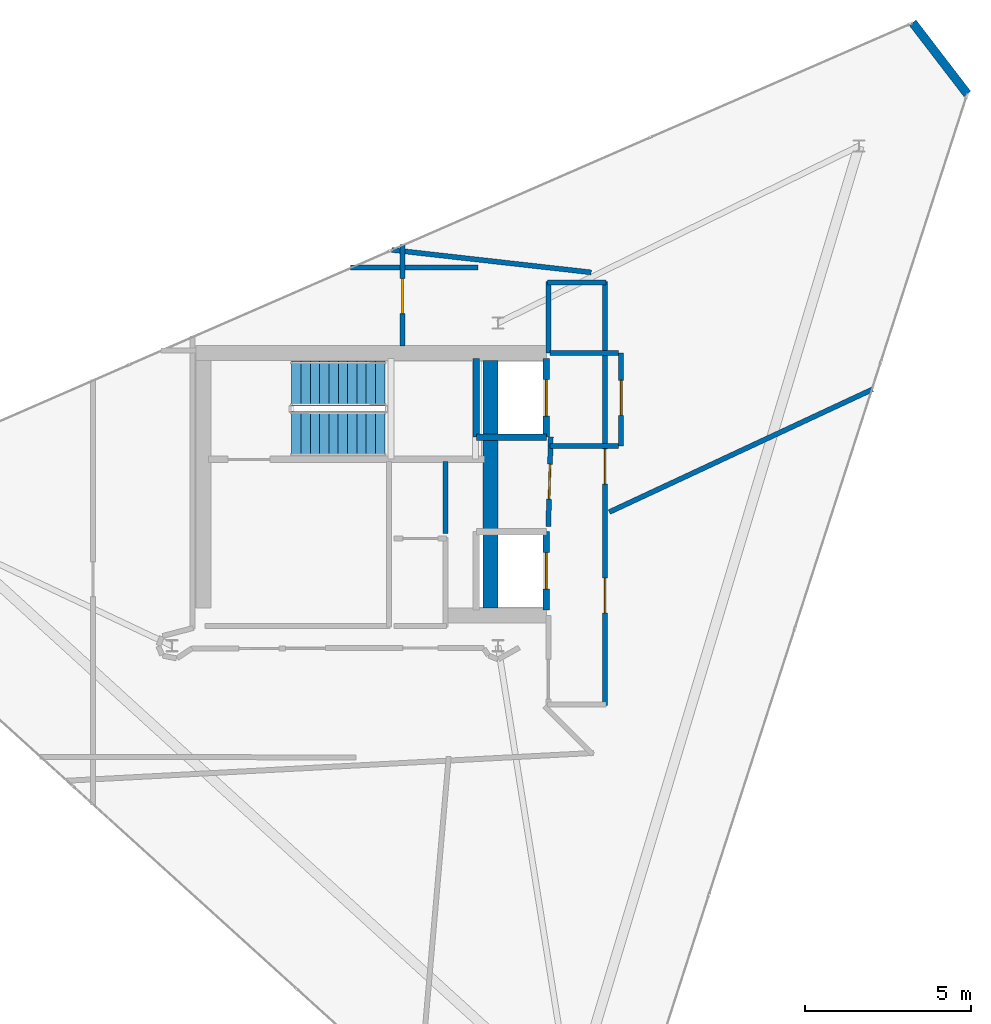
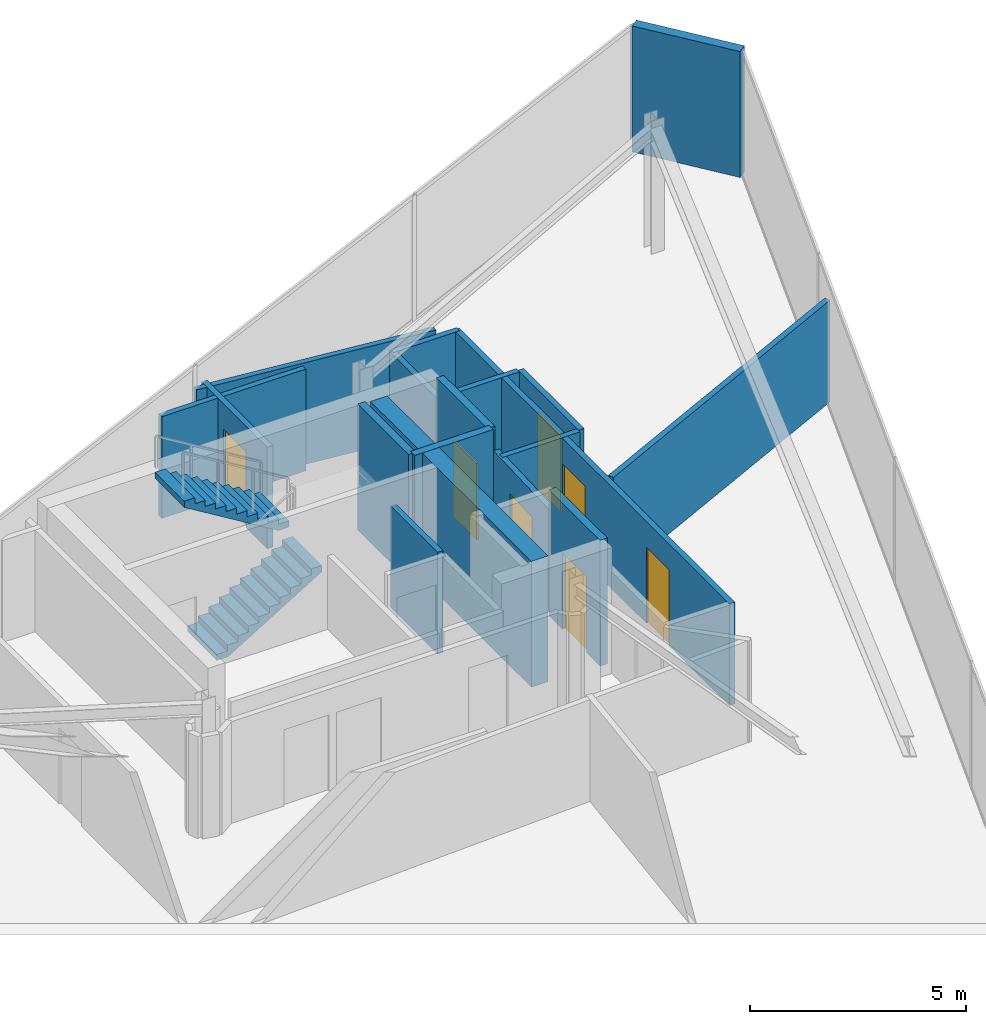
# One storey, part 14 of 15: 18 walls, 7 doors, 2 stair flights, 7 openings, 1 element without a shape of its own.
"""IFC4 building model written with IfcOpenShell, lengths in metres."""

from ifc_helpers import new_model, si_unit, direction, frame, frame_2d, origin, place, context, subcontext, project, spatial, polyline, rectangle, outline, extrude, material, layer, layer_set, type_object, element, fill, aggregate, save


model = new_model("IFC4")

# Units and contexts
model_context = context("Model", 3, precision=1e-05, world=origin(), true_north=direction((0.0, 1.0)))
body_context = subcontext(model_context, "Body", "Model", "MODEL_VIEW")
ifc_project = project(units=[si_unit("LENGTHUNIT", "METRE"), si_unit("AREAUNIT", "SQUARE_METRE"), si_unit("VOLUMEUNIT", "CUBIC_METRE"), si_unit("PLANEANGLEUNIT", "RADIAN"), si_unit("MASSUNIT", "GRAM", prefix="KILO")], contexts=[model_context])

# Site, building, storey
site_placement = place(None, origin())
site = spatial("IfcSite", under=ifc_project, at=site_placement, CompositionType="ELEMENT")
building_placement = place(site_placement, origin())
building = spatial("IfcBuilding", under=site, at=building_placement, Name="Qianvela Tower", CompositionType="ELEMENT")
storey_placement = place(building_placement, frame((0.0, 0.0, 360.050048828125)))
storey = spatial("IfcBuildingStorey", under=building, at=storey_placement, Name="L93", CompositionType="ELEMENT", Elevation=360.050048828125)

# Walls
ifc_material_1 = material(Name="Terracotta Cladding on Concrete C40", Category="masonry")
ifc_layer_1 = layer(ifc_material_1, 0.260009765625)
ifc_layer_set_1 = layer_set([ifc_layer_1], Name="Terracotta Cladding on Concrete C40")
wall_type_1 = type_object("IfcWallType", Name="TERRACOTTA-WALL-260", PredefinedType="SOLIDWALL", material=ifc_layer_set_1)
wall_1_placement = place(storey_placement, frame((52.50048828125, 40.4296875, 0.0), z_axis=(0.0, 0.0, 1.0), x_axis=(-0.608757921377, 0.79335603178, 0.0)))
element("IfcWall", 1, at=wall_1_placement, inside=storey, type_object=wall_type_1, Name="L93 Crown Terracotta Cladding Wall 1", PredefinedType="SOLIDWALL", context=body_context, shape_type="SweptSolid", body=[
    extrude(rectangle(XDim=2.70068359375, YDim=0.260009765625, at=frame_2d((1.350341796875, 0.0))), origin(), (0.0, 0.0, 1.0), 3.550048828125),
])
ifc_material_2 = material(Name="Concrete C50", Category="concrete")
ifc_layer_2 = layer(ifc_material_2, 0.449951171875)
ifc_layer_set_2 = layer_set([ifc_layer_2], Name="Concrete C50")
wall_type_2 = type_object("IfcWallType", Name="WT-CORE-450", PredefinedType="SHEAR", material=ifc_layer_set_2)
wall_2_placement = place(storey_placement, frame((38.179931640625, 24.97998046875, 0.0), z_axis=(0.0, 0.0, 1.0), x_axis=(0.0, 1.0, 0.0)))
element("IfcWall", 2, at=wall_2_placement, inside=storey, type_object=wall_type_2, Name="L93 East Spine Core Shear Wall", PredefinedType="SHEAR", context=body_context, shape_type="SweptSolid", body=[
    extrude(rectangle(XDim=7.43994140625, YDim=0.449951171875, at=frame_2d((3.719970703125, 0.0))), origin(), (0.0, 0.0, 1.0), 3.550048828125),
])

# Wall, opening, door
ifc_material_3 = material(Name="Fire-Rated Acoustic Gypsum Board")
ifc_layer_3 = layer(ifc_material_3, 0.14990234375)
ifc_layer_set_3 = layer_set([ifc_layer_3], Name="Fire-Rated Acoustic Gypsum Board")
wall_type_3 = type_object("IfcWallType", Name="WT-CORR-150", PredefinedType="PARTITIONING", material=ifc_layer_set_3)
wall_3_placement = place(storey_placement, frame((42.10009765625, 29.85009765625, 0.0), z_axis=(0.0, 0.0, 1.0), x_axis=(0.0, 1.0, 0.0)))
wall_3 = element("IfcWall", 3, at=wall_3_placement, inside=storey, type_object=wall_type_3, Name="L93 Crown Mechanical Plant Partition 1", PredefinedType="PARTITIONING", context=body_context, shape_type="SweptSolid", body=[
    extrude(rectangle(XDim=2.794921875, YDim=0.14990234375, at=frame_2d((1.3974609375, 0.0))), origin(), (0.0, 0.0, 1.0), 2.869873046875),
])
opening_1_placement = place(wall_3_placement, frame((0.925048828125, 0.0, 0.0)))
opening_1 = element("IfcOpeningElement", 4, at=opening_1_placement, cuts=wall_3, Name="Opening D-PL1", PredefinedType="OPENING", context=body_context, shape_type="SweptSolid", body=[
    extrude(rectangle(XDim=1.050048828125, YDim=2.14990234375, at=frame_2d((0.52490234375, 1.074951171875))), frame((0.0, 0.0849609375, 0.0), z_axis=(0.0, -1.0, 0.0), x_axis=(1.0, 0.0, 0.0)), (0.0, 0.0, 1.0), 0.169921875),
])
ifc_material_4 = material(Name="Insulated Steel Fire Door Q355B", Category="steel")
door_type_1 = type_object("IfcDoorType", Name="DT-PLANT-FD90", OperationType="NOTDEFINED", PredefinedType="DOOR", material=ifc_material_4)
door_1_placement = place(opening_1_placement, origin())
door_1 = element("IfcDoor", 5, at=door_1_placement, inside=storey, type_object=door_type_1, Name="L93 Crown Mechanical Plant Room Door", OperationType="SINGLE_SWING_RIGHT", OverallHeight=2.14990234375, OverallWidth=1.050048828125, PredefinedType="DOOR", context=body_context, shape_type="SweptSolid", body=[
    extrude(rectangle(XDim=1.050048828125, YDim=2.14990234375, at=frame_2d((0.52490234375, 1.074951171875))), frame((0.0, 0.02490234375, 0.0), z_axis=(0.0, -1.0, 0.0), x_axis=(1.0, 0.0, 0.0)), (0.0, 0.0, 1.0), 0.050048828125),
])
fill(opening_1, door_1)

# Walls
for number, where, z_axis, x_axis, name in (
    (6, (39.9599609375, 29.85009765625, 0.0), (0.0, 0.0, 1.0), (1.0, 0.0, 0.0), "L93 Crown Mechanical Plant Partition 2"),
    (7, (39.9599609375, 32.64501953125, 0.0), (0.0, 0.0, 1.0), (1.0, 0.0, 0.0), "L93 Crown Mechanical Plant Partition 3"),
):
    element("IfcWall", number, at=place(storey_placement, frame(where, z_axis=z_axis, x_axis=x_axis)), inside=storey, type_object=wall_type_3, Name=name, PredefinedType="PARTITIONING", context=body_context, shape_type="SweptSolid", body=[
        extrude(rectangle(XDim=2.06005859375, YDim=0.14990234375, at=frame_2d((1.030029296875, 0.0))), origin(), (0.0, 0.0, 1.0), 2.869873046875),
    ])

# Wall, opening, door
wall_4_placement = place(storey_placement, frame((39.910888671875, 27.439208984375, 0.0), z_axis=(0.0, 0.0, 1.0), x_axis=(0.027673579092, 0.999617013171, 0.0)))
wall_4 = element("IfcWall", 8, at=wall_4_placement, inside=storey, type_object=wall_type_3, Name="L93 Partition 7 seg 1", PredefinedType="PARTITIONING", context=body_context, shape_type="SweptSolid", body=[
    extrude(rectangle(XDim=2.681884765625, YDim=0.14990234375, at=frame_2d((1.3408203125, 0.0))), origin(), (0.0, 0.0, 1.0), 2.869873046875),
])
opening_2_placement = place(wall_4_placement, frame((0.81591796875, 0.0, 0.0)))
opening_2 = element("IfcOpeningElement", 9, at=opening_2_placement, cuts=wall_4, Name="Opening D-PL1", PredefinedType="OPENING", context=body_context, shape_type="SweptSolid", body=[
    extrude(rectangle(XDim=1.050048828125, YDim=2.14990234375, at=frame_2d((0.52490234375, 1.074951171875))), frame((0.0, 0.0849609375, 0.0), z_axis=(0.0, -1.0, 0.0), x_axis=(1.0, 0.0, 0.0)), (0.0, 0.0, 1.0), 0.169921875),
])
door_2_placement = place(opening_2_placement, origin())
door_2 = element("IfcDoor", 10, at=door_2_placement, inside=storey, type_object=door_type_1, Name="L93 Door L93 Crown Chilled Water Pump Plant Room to L93 Lift Lobby", OperationType="SINGLE_SWING_RIGHT", OverallHeight=2.14990234375, OverallWidth=1.050048828125, PredefinedType="DOOR", context=body_context, shape_type="SweptSolid", body=[
    extrude(rectangle(XDim=1.050048828125, YDim=2.14990234375, at=frame_2d((0.52490234375, 1.074951171875))), frame((0.0, 0.02490234375, 0.0), z_axis=(0.0, -1.0, 0.0), x_axis=(1.0, 0.0, 0.0)), (0.0, 0.0, 1.0), 0.050048828125),
])
fill(opening_2, door_2)

# Walls
wall_5_placement = place(storey_placement, frame((39.910888671875, 32.639892578125, 0.0), z_axis=(0.0, 0.0, 1.0), x_axis=(0.0, 1.0, 0.0)))
element("IfcWall", 11, at=wall_5_placement, inside=storey, type_object=wall_type_3, Name="L93 Partition 8", PredefinedType="PARTITIONING", context=body_context, shape_type="SweptSolid", body=[
    extrude(rectangle(XDim=2.16015625, YDim=0.14990234375, at=frame_2d((1.080078125, 0.0))), origin(), (0.0, 0.0, 1.0), 2.869873046875),
])
wall_6_placement = place(storey_placement, frame((39.8798828125, 34.76904296875, 0.0), z_axis=(0.0, 0.0, 1.0), x_axis=(1.0, 0.0, 0.0)))
element("IfcWall", 12, at=wall_6_placement, inside=storey, type_object=wall_type_3, Name="L93 Partition 9", PredefinedType="PARTITIONING", context=body_context, shape_type="SweptSolid", body=[
    extrude(rectangle(XDim=1.77001953125, YDim=0.14990234375, at=frame_2d((0.885009765625, 0.0))), origin(), (0.0, 0.0, 1.0), 2.869873046875),
])

# Wall, openings, doors
wall_7_placement = place(storey_placement, frame((41.618896484375, 34.800048828125, 0.0), z_axis=(0.0, 0.0, 1.0), x_axis=(0.0, -1.0, 0.0)))
wall_7 = element("IfcWall", 13, at=wall_7_placement, inside=storey, type_object=wall_type_3, Name="L93 Partition 10", PredefinedType="PARTITIONING", context=body_context, shape_type="SweptSolid", body=[
    extrude(rectangle(XDim=12.75, YDim=0.14990234375, at=frame_2d((6.375, 0.0))), origin(), (0.0, 0.0, 1.0), 2.869873046875),
])
opening_3_placement = place(wall_7_placement, frame((8.91455078125, 0.0, 0.0)))
opening_3 = element("IfcOpeningElement", 14, at=opening_3_placement, cuts=wall_7, Name="Opening D-PL1", PredefinedType="OPENING", context=body_context, shape_type="SweptSolid", body=[
    extrude(rectangle(XDim=1.050048828125, YDim=2.14990234375, at=frame_2d((0.52490234375, 1.074951171875))), frame((0.0, 0.0849609375, 0.0), z_axis=(0.0, -1.0, 0.0), x_axis=(1.0, 0.0, 0.0)), (0.0, 0.0, 1.0), 0.169921875),
])
opening_4_placement = place(wall_7_placement, frame((5.040771484375, 0.0, 0.0)))
opening_4 = element("IfcOpeningElement", 15, at=opening_4_placement, cuts=wall_7, Name="Opening D-PL1", PredefinedType="OPENING", context=body_context, shape_type="SweptSolid", body=[
    extrude(rectangle(XDim=1.050048828125, YDim=2.14990234375, at=frame_2d((0.52490234375, 1.074951171875))), frame((0.0, 0.0849609375, 0.0), z_axis=(0.0, -1.0, 0.0), x_axis=(1.0, 0.0, 0.0)), (0.0, 0.0, 1.0), 0.169921875),
])
door_3_placement = place(opening_3_placement, origin())
door_3 = element("IfcDoor", 16, at=door_3_placement, inside=storey, type_object=door_type_1, Name="L93 Door L93 Crown BMS Plant Room to L93 Lift Lobby", OperationType="SINGLE_SWING_RIGHT", OverallHeight=2.14990234375, OverallWidth=1.050048828125, PredefinedType="DOOR", context=body_context, shape_type="SweptSolid", body=[
    extrude(rectangle(XDim=1.050048828125, YDim=2.14990234375, at=frame_2d((0.52490234375, 1.074951171875))), frame((0.0, 0.02490234375, 0.0), z_axis=(0.0, -1.0, 0.0), x_axis=(1.0, 0.0, 0.0)), (0.0, 0.0, 1.0), 0.050048828125),
])
fill(opening_3, door_3)
door_4_placement = place(opening_4_placement, origin())
door_4 = element("IfcDoor", 17, at=door_4_placement, inside=storey, type_object=door_type_1, Name="L93 Door L93 Elevator Machine Room to L93 Lift Lobby", OperationType="SINGLE_SWING_LEFT", OverallHeight=2.14990234375, OverallWidth=1.050048828125, PredefinedType="DOOR", context=body_context, shape_type="SweptSolid", body=[
    extrude(rectangle(XDim=1.050048828125, YDim=2.14990234375, at=frame_2d((0.52490234375, 1.074951171875))), frame((0.0, 0.02490234375, 0.0), z_axis=(0.0, -1.0, 0.0), x_axis=(1.0, 0.0, 0.0)), (0.0, 0.0, 1.0), 0.050048828125),
])
fill(opening_4, door_4)

# Wall
wall_8_placement = place(storey_placement, frame((36.819091796875, 29.3798828125, 0.0), z_axis=(0.0, 0.0, 1.0), x_axis=(0.0, -1.0, 0.0)))
element("IfcWall", 18, at=wall_8_placement, inside=storey, type_object=wall_type_3, Name="L93 Partition 19", PredefinedType="PARTITIONING", context=body_context, shape_type="SweptSolid", body=[
    extrude(rectangle(XDim=2.159912109375, YDim=0.14990234375, at=frame_2d((1.080078125, 0.0))), origin(), (0.0, 0.0, 1.0), 2.869873046875),
])

# Wall, opening, door
wall_9_placement = place(storey_placement, frame((35.531005859375, 32.85791015625, 0.0), z_axis=(0.0, 0.0, 1.0), x_axis=(0.0, 1.0, 0.0)))
wall_9 = element("IfcWall", 19, at=wall_9_placement, inside=storey, type_object=wall_type_3, Name="L93 Partition 23", PredefinedType="PARTITIONING", context=body_context, shape_type="SweptSolid", body=[
    extrude(rectangle(XDim=3.04736328125, YDim=0.14990234375, at=frame_2d((1.523681640625, 0.0))), origin(), (0.0, 0.0, 1.0), 2.869873046875),
])
opening_5_placement = place(wall_9_placement, frame((0.970947265625, 0.0, 0.0)))
opening_5 = element("IfcOpeningElement", 20, at=opening_5_placement, cuts=wall_9, Name="Opening D-PL1", PredefinedType="OPENING", context=body_context, shape_type="SweptSolid", body=[
    extrude(rectangle(XDim=1.050048828125, YDim=2.14990234375, at=frame_2d((0.52490234375, 1.074951171875))), frame((0.0, 0.0849609375, 0.0), z_axis=(0.0, -1.0, 0.0), x_axis=(1.0, 0.0, 0.0)), (0.0, 0.0, 1.0), 0.169921875),
])
door_5_placement = place(opening_5_placement, origin())
door_5 = element("IfcDoor", 21, at=door_5_placement, inside=storey, type_object=door_type_1, Name="L93 Door L93 Crown Pressure Booster Plant to L93 Elevator Machine Room", OperationType="SINGLE_SWING_RIGHT", OverallHeight=2.14990234375, OverallWidth=1.050048828125, PredefinedType="DOOR", context=body_context, shape_type="SweptSolid", body=[
    extrude(rectangle(XDim=1.050048828125, YDim=2.14990234375, at=frame_2d((0.52490234375, 1.074951171875))), frame((0.0, 0.02490234375, 0.0), z_axis=(0.0, -1.0, 0.0), x_axis=(1.0, 0.0, 0.0)), (0.0, 0.0, 1.0), 0.050048828125),
])
fill(opening_5, door_5)

# Walls
wall_10_placement = place(storey_placement, frame((35.205810546875, 35.743408203125, 0.0), z_axis=(0.0, 0.0, 1.0), x_axis=(0.993731765799, -0.111790776195, 0.0)))
element("IfcWall", 22, at=wall_10_placement, inside=storey, type_object=wall_type_3, Name="L93 Partition 24", PredefinedType="PARTITIONING", context=body_context, shape_type="SweptSolid", body=[
    extrude(rectangle(XDim=6.031982421875, YDim=0.14990234375, at=frame_2d((3.01611328125, 0.0))), origin(), (0.0, 0.0, 1.0), 2.869873046875),
])
wall_11_placement = place(storey_placement, frame((41.7431640625, 27.8671875, 0.0), z_axis=(0.0, 0.0, 1.0), x_axis=(0.906307457026, 0.422618969451, 0.0)))
element("IfcWall", 23, at=wall_11_placement, inside=storey, type_object=wall_type_3, Name="L93 Partition 52", PredefinedType="PARTITIONING", context=body_context, shape_type="SweptSolid", body=[
    extrude(rectangle(XDim=8.72705078125, YDim=0.14990234375, at=frame_2d((4.363525390625, 0.0))), origin(), (0.0, 0.0, 1.0), 2.869873046875),
])
wall_12_placement = place(storey_placement, frame((37.800537109375, 35.2099609375, 0.0), z_axis=(0.0, 0.0, 1.0), x_axis=(-0.999999981802, -0.000190779011, 0.0)))
element("IfcWall", 24, at=wall_12_placement, inside=storey, type_object=wall_type_3, Name="L93 Partition 56 seg 1", PredefinedType="PARTITIONING", context=body_context, shape_type="SweptSolid", body=[
    extrude(rectangle(XDim=3.839111328125, YDim=0.14990234375, at=frame_2d((1.91943359375, 0.0))), origin(), (0.0, 0.0, 1.0), 2.869873046875),
])

# Wall, opening, door
ifc_material_5 = material(Name="Concrete C50", Category="concrete")
ifc_layer_4 = layer(ifc_material_5, 0.199951171875)
ifc_layer_set_4 = layer_set([ifc_layer_4], Name="Concrete C50")
wall_type_4 = type_object("IfcWallType", Name="WT-SHAFT-200", PredefinedType="SOLIDWALL", material=ifc_layer_set_4)
wall_13_placement = place(storey_placement, frame((39.85009765625, 30.1201171875, 0.0), z_axis=(0.0, 0.0, 1.0), x_axis=(0.0, 1.0, 0.0)))
wall_13 = element("IfcWall", 25, at=wall_13_placement, inside=storey, type_object=wall_type_4, Name="L93 Lift FL-1 E Shaft Wall", PredefinedType="SOLIDWALL", context=body_context, shape_type="SweptSolid", body=[
    extrude(rectangle(XDim=2.35986328125, YDim=0.199951171875, at=frame_2d((1.179931640625, 0.0))), origin(), (0.0, 0.0, 1.0), 3.550048828125),
])
opening_6_placement = place(wall_13_placement, frame((0.6298828125, 0.0, 0.0)))
opening_6 = element("IfcOpeningElement", 26, at=opening_6_placement, cuts=wall_13, Name="Opening LD-01", PredefinedType="OPENING", context=body_context, shape_type="SweptSolid", body=[
    extrude(rectangle(XDim=1.10009765625, YDim=2.14990234375, at=frame_2d((0.550048828125, 1.074951171875))), frame((0.0, 0.10986328125, 0.0), z_axis=(0.0, -1.0, 0.0), x_axis=(1.0, 0.0, 0.0)), (0.0, 0.0, 1.0), 0.219970703125),
])
ifc_material_6 = material(Name="Brushed Stainless Steel Lift Landing Door", Category="steel")
door_type_2 = type_object("IfcDoorType", Name="DT-LIFT-SLIDE-1100", OperationType="SLIDING_TO_LEFT", PredefinedType="DOOR", material=ifc_material_6)
door_6_placement = place(opening_6_placement, origin())
door_6 = element("IfcDoor", 27, at=door_6_placement, inside=storey, type_object=door_type_2, Name="L93 Lift FL-1 Sliding Landing Door", OperationType="SLIDING_TO_LEFT", OverallHeight=2.14990234375, OverallWidth=1.10009765625, PredefinedType="DOOR", context=body_context, shape_type="SweptSolid", body=[
    extrude(rectangle(XDim=1.10009765625, YDim=2.14990234375, at=frame_2d((0.550048828125, 1.074951171875))), frame((0.0, 0.02490234375, 0.0), z_axis=(0.0, -1.0, 0.0), x_axis=(1.0, 0.0, 0.0)), (0.0, 0.0, 1.0), 0.050048828125),
])
fill(opening_6, door_6)

# Walls
wall_14_placement = place(storey_placement, frame((37.75, 30.1201171875, 0.0), z_axis=(0.0, 0.0, 1.0), x_axis=(0.0, 1.0, 0.0)))
element("IfcWall", 28, at=wall_14_placement, inside=storey, type_object=wall_type_4, Name="L93 Lift FL-1 W Shaft Wall", PredefinedType="SOLIDWALL", context=body_context, shape_type="SweptSolid", body=[
    extrude(rectangle(XDim=2.35986328125, YDim=0.199951171875, at=frame_2d((1.179931640625, 0.0))), origin(), (0.0, 0.0, 1.0), 3.550048828125),
])
wall_15_placement = place(storey_placement, frame((37.75, 30.1201171875, 0.0), z_axis=(0.0, 0.0, 1.0), x_axis=(1.0, 0.0, 0.0)))
element("IfcWall", 29, at=wall_15_placement, inside=storey, type_object=wall_type_4, Name="L93 Lift FL-1 S Shaft Wall", PredefinedType="SOLIDWALL", context=body_context, shape_type="SweptSolid", body=[
    extrude(rectangle(XDim=2.10009765625, YDim=0.199951171875, at=frame_2d((1.050048828125, 0.0))), origin(), (0.0, 0.0, 1.0), 3.550048828125),
])

# Wall, opening, door
wall_16_placement = place(storey_placement, frame((39.85009765625, 24.919921875, 0.0), z_axis=(0.0, 0.0, 1.0), x_axis=(0.0, 1.0, 0.0)))
wall_16 = element("IfcWall", 30, at=wall_16_placement, inside=storey, type_object=wall_type_4, Name="L93 Lift FL-2 E Shaft Wall", PredefinedType="SOLIDWALL", context=body_context, shape_type="SweptSolid", body=[
    extrude(rectangle(XDim=2.360107421875, YDim=0.199951171875, at=frame_2d((1.18017578125, 0.0))), origin(), (0.0, 0.0, 1.0), 3.550048828125),
])
opening_7_placement = place(wall_16_placement, frame((0.6298828125, 0.0, 0.0)))
opening_7 = element("IfcOpeningElement", 31, at=opening_7_placement, cuts=wall_16, Name="Opening LD-01", PredefinedType="OPENING", context=body_context, shape_type="SweptSolid", body=[
    extrude(rectangle(XDim=1.10009765625, YDim=2.14990234375, at=frame_2d((0.550048828125, 1.074951171875))), frame((0.0, 0.10986328125, 0.0), z_axis=(0.0, -1.0, 0.0), x_axis=(1.0, 0.0, 0.0)), (0.0, 0.0, 1.0), 0.219970703125),
])
door_7_placement = place(opening_7_placement, origin())
door_7 = element("IfcDoor", 32, at=door_7_placement, inside=storey, type_object=door_type_2, Name="L93 Lift FL-2 Sliding Landing Door", OperationType="SLIDING_TO_LEFT", OverallHeight=2.14990234375, OverallWidth=1.10009765625, PredefinedType="DOOR", context=body_context, shape_type="SweptSolid", body=[
    extrude(rectangle(XDim=1.10009765625, YDim=2.14990234375, at=frame_2d((0.550048828125, 1.074951171875))), frame((0.0, 0.02490234375, 0.0), z_axis=(0.0, -1.0, 0.0), x_axis=(1.0, 0.0, 0.0)), (0.0, 0.0, 1.0), 0.050048828125),
])
fill(opening_7, door_7)

# Stair, stair flights
ifc_material_7 = material(Name="Concrete C40", Category="concrete")
stair_type = type_object("IfcStairType", Name="ST-DOGLEG-1350-R170-N22", PredefinedType="HALF_TURN_STAIR", material=ifc_material_7)
stair_placement = place(storey_placement, origin())
stair = element("IfcStair", 33, at=stair_placement, inside=storey, type_object=stair_type, Name="L93 Smoke-Proof Core Stair ST-1", PredefinedType="HALF_TURN_STAIR")
ifc_material_8 = material(Name="Concrete C40", Category="concrete")
stair_flight_type = type_object("IfcStairFlightType", Name="STF-STRAIGHT-R170-P11", PredefinedType="STRAIGHT", material=ifc_material_8)
stair_flight_1_placement = place(storey_placement, frame((32.199951171875, 30.215087890625, 0.0), z_axis=(0.0, 0.0, 1.0), x_axis=(1.0, 0.0, 0.0)))
stair_flight_1 = element("IfcStairFlight", 34, at=stair_flight_1_placement, type_object=stair_flight_type, Name="ST-1 flight 1", NumberOfRisers=11, NumberOfTreads=10, PredefinedType="STRAIGHT", RiserHeight=0.170454545, TreadLength=0.28, context=body_context, shape_type="SweptSolid", body=[
    extrude(outline(polyline([(0.0, 0.0), (0.0, 0.17041015625), (0.280029296875, 0.17041015625), (0.280029296875, 0.3408203125), (0.56005859375, 0.3408203125), (0.56005859375, 0.511474609375), (0.840087890625, 0.511474609375), (0.840087890625, 0.681884765625), (1.1201171875, 0.681884765625), (1.1201171875, 0.852294921875), (1.39990234375, 0.852294921875), (1.39990234375, 1.022705078125), (1.679931640625, 1.022705078125), (1.679931640625, 1.193115234375), (1.9599609375, 1.193115234375), (1.9599609375, 1.363525390625), (2.239990234375, 1.363525390625), (2.239990234375, 1.5341796875), (2.52001953125, 1.5341796875), (2.52001953125, 1.70458984375), (2.800048828125, 1.70458984375), (2.800048828125, 1.875), (2.800048828125, 1.529052734375), (0.288330078125, 0.0), (0.0, 0.0)])), frame((0.0, 0.675048828125, 0.0), z_axis=(0.0, -1.0, 0.0), x_axis=(1.0, 0.0, 0.0)), (0.0, 0.0, 1.0), 1.35009765625),
])
stair_flight_2_placement = place(storey_placement, frame((35.0, 31.72509765625, 1.875), z_axis=(0.0, 0.0, 1.0), x_axis=(-1.0, 0.0, 0.0)))
stair_flight_2 = element("IfcStairFlight", 35, at=stair_flight_2_placement, type_object=stair_flight_type, Name="ST-1 flight 2", NumberOfRisers=11, NumberOfTreads=10, PredefinedType="STRAIGHT", RiserHeight=0.170454545, TreadLength=0.28, context=body_context, shape_type="SweptSolid", body=[
    extrude(outline(polyline([(0.0, 0.0), (0.0, 0.17041015625), (0.280029296875, 0.17041015625), (0.280029296875, 0.3408203125), (0.56005859375, 0.3408203125), (0.56005859375, 0.511474609375), (0.840087890625, 0.511474609375), (0.840087890625, 0.681884765625), (1.1201171875, 0.681884765625), (1.1201171875, 0.852294921875), (1.39990234375, 0.852294921875), (1.39990234375, 1.022705078125), (1.679931640625, 1.022705078125), (1.679931640625, 1.193115234375), (1.9599609375, 1.193115234375), (1.9599609375, 1.363525390625), (2.239990234375, 1.363525390625), (2.239990234375, 1.5341796875), (2.52001953125, 1.5341796875), (2.52001953125, 1.70458984375), (2.800048828125, 1.70458984375), (2.800048828125, 1.875), (2.800048828125, 1.529052734375), (0.288330078125, 0.0), (0.0, 0.0)])), frame((0.0, 0.675048828125, 0.0), z_axis=(0.0, -1.0, 0.0), x_axis=(1.0, 0.0, 0.0)), (0.0, 0.0, 1.0), 1.35009765625),
])
aggregate(stair, [stair_flight_1, stair_flight_2])

save(model, "model.ifc")
